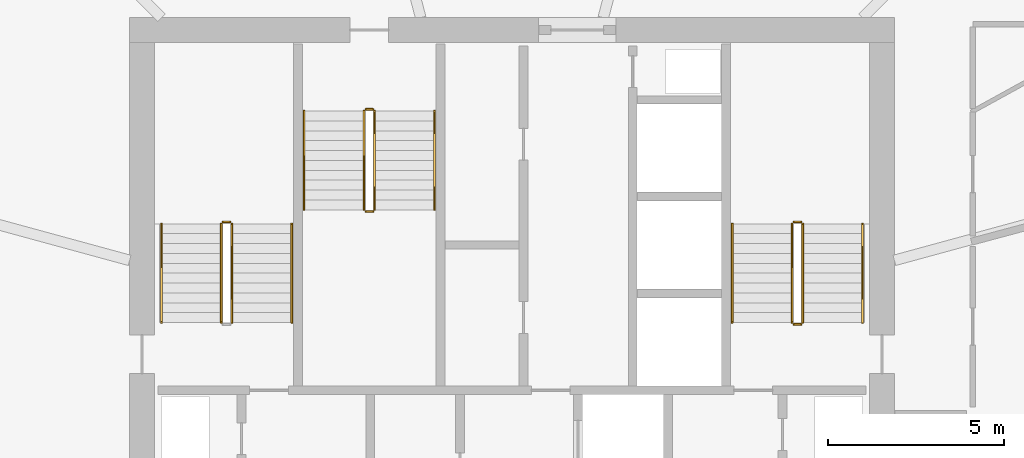
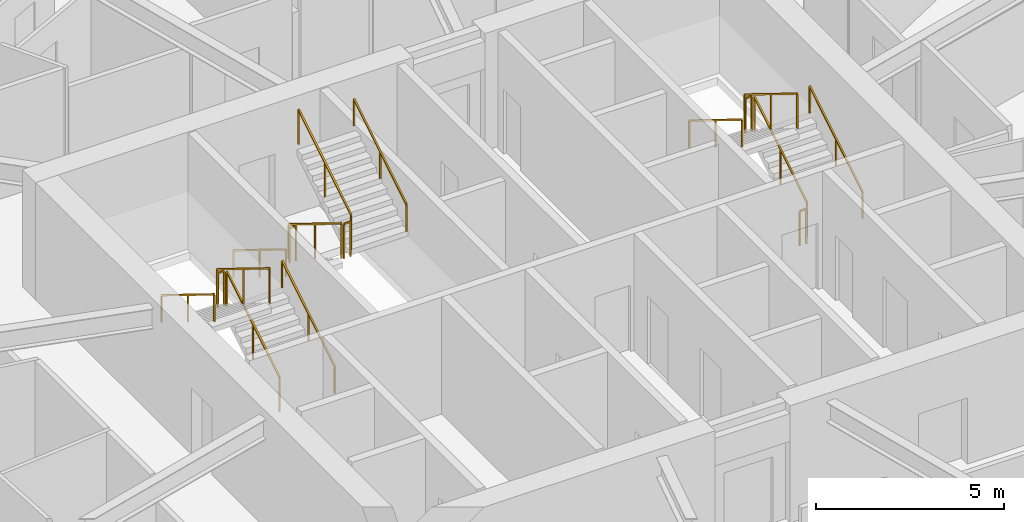
# One storey, part 28 of 29: 17 railings.
"""IFC4 building model written with IfcOpenShell, lengths in metres."""

from ifc_helpers import new_model, si_unit, direction, frame, origin, origin_2d, place, context, subcontext, project, spatial, rectangle, extrude, material, type_object, element, save


model = new_model("IFC4")

# Units and contexts
model_context = context("Model", 3, precision=1e-05, world=origin(), true_north=direction((0.0, 1.0)))
body_context = subcontext(model_context, "Body", "Model", "MODEL_VIEW")
ifc_project = project(units=[si_unit("LENGTHUNIT", "METRE"), si_unit("AREAUNIT", "SQUARE_METRE"), si_unit("VOLUMEUNIT", "CUBIC_METRE"), si_unit("PLANEANGLEUNIT", "RADIAN"), si_unit("MASSUNIT", "GRAM", prefix="KILO")], contexts=[model_context])

# Site, building, storey
site_placement = place(None, origin())
site = spatial("IfcSite", under=ifc_project, at=site_placement, CompositionType="ELEMENT")
building_placement = place(site_placement, origin())
building = spatial("IfcBuilding", under=site, at=building_placement, Name="Zuhravey Tower", CompositionType="ELEMENT")
storey_placement = place(building_placement, frame((0.0, 0.0, 192.199951171875)))
storey = spatial("IfcBuildingStorey", under=building, at=storey_placement, Name="L48", CompositionType="ELEMENT", Elevation=192.199951171875)

# Railings
ifc_material_1 = material(Name="Brushed stainless steel", Category="steel")
railing_type_1 = type_object("IfcRailingType", Name="Stair Wall Handrail 900", PredefinedType="HANDRAIL", material=ifc_material_1)
railing_1_placement = place(storey_placement, frame((29.75, 33.199951171875, 0.1728515625)))
element("IfcRailing", 1, at=railing_1_placement, inside=storey, type_object=railing_type_1, Name="L48 ST1 stair handrail 1", PredefinedType="HANDRAIL", context=body_context, shape_type="SweptSolid", body=[
    extrude(rectangle(XDim=0.048095703125, YDim=0.048095703125, at=origin_2d()), frame((0.0, 0.001708984375, 0.876953125), z_axis=(0.0, 0.851089632645, 0.525020415988), x_axis=(-1.0, 0.0, 0.0)), (0.0, 0.0, 1.0), 3.285888671875),
    extrude(rectangle(XDim=0.0419921875, YDim=0.0419921875, at=origin_2d()), origin(), (0.0, 0.0, 1.0), 0.849853515625),
    extrude(rectangle(XDim=0.0419921875, YDim=0.0419921875, at=origin_2d()), frame((0.0, 1.39990234375, 0.86376953125)), (0.0, 0.0, 1.0), 0.849853515625),
    extrude(rectangle(XDim=0.0419921875, YDim=0.0419921875, at=origin_2d()), frame((0.0, 2.800048828125, 1.727294921875)), (0.0, 0.0, 1.0), 0.849853515625),
])
railing_2_placement = place(storey_placement, frame((26.050048828125, 36.0, 2.07275390625)))
element("IfcRailing", 2, at=railing_2_placement, inside=storey, type_object=railing_type_1, Name="L48 ST1 stair handrail 2", PredefinedType="HANDRAIL", context=body_context, shape_type="SweptSolid", body=[
    extrude(rectangle(XDim=0.048095703125, YDim=0.048095703125, at=origin_2d()), frame((0.0, -0.001708984375, 0.876953125), z_axis=(0.0, -0.851089632645, 0.525020415988), x_axis=(1.0, 0.0, 0.0)), (0.0, 0.0, 1.0), 3.285888671875),
    extrude(rectangle(XDim=0.0419921875, YDim=0.0419921875, at=origin_2d()), origin(), (0.0, 0.0, 1.0), 0.849853515625),
    extrude(rectangle(XDim=0.0419921875, YDim=0.0419921875, at=origin_2d()), frame((0.0, -1.39990234375, 0.86376953125)), (0.0, 0.0, 1.0), 0.849853515625),
    extrude(rectangle(XDim=0.0419921875, YDim=0.0419921875, at=origin_2d()), frame((0.0, -2.800048828125, 1.727294921875)), (0.0, 0.0, 1.0), 0.849853515625),
])
railing_3_placement = place(storey_placement, frame((45.949951171875, 33.199951171875, 0.1728515625)))
element("IfcRailing", 3, at=railing_3_placement, inside=storey, type_object=railing_type_1, Name="L48 ST2 stair handrail 1", PredefinedType="HANDRAIL", context=body_context, shape_type="SweptSolid", body=[
    extrude(rectangle(XDim=0.048095703125, YDim=0.048095703125, at=origin_2d()), frame((0.0, 0.001708984375, 0.876953125), z_axis=(0.0, 0.851089632645, 0.525020415988), x_axis=(-1.0, 0.0, 0.0)), (0.0, 0.0, 1.0), 3.285888671875),
    extrude(rectangle(XDim=0.0419921875, YDim=0.0419921875, at=origin_2d()), origin(), (0.0, 0.0, 1.0), 0.849853515625),
    extrude(rectangle(XDim=0.0419921875, YDim=0.0419921875, at=origin_2d()), frame((0.0, 1.39990234375, 0.86376953125)), (0.0, 0.0, 1.0), 0.849853515625),
    extrude(rectangle(XDim=0.0419921875, YDim=0.0419921875, at=origin_2d()), frame((0.0, 2.800048828125, 1.727294921875)), (0.0, 0.0, 1.0), 0.849853515625),
])
for number, where, name in (
    (4, (42.25, 36.0, 2.07275390625), "L48 ST2 stair handrail 2"),
    (5, (30.10009765625, 39.199951171875, 0.1728515625), "L48 ST3 stair handrail 1"),
):
    element("IfcRailing", number, at=place(storey_placement, frame(where)), inside=storey, type_object=railing_type_1, Name=name, PredefinedType="HANDRAIL", context=body_context, shape_type="SweptSolid", body=[
        extrude(rectangle(XDim=0.048095703125, YDim=0.048095703125, at=origin_2d()), frame((0.0, -0.001708984375, 0.876953125), z_axis=(0.0, -0.851089632645, 0.525020415988), x_axis=(1.0, 0.0, 0.0)), (0.0, 0.0, 1.0), 3.285888671875),
        extrude(rectangle(XDim=0.0419921875, YDim=0.0419921875, at=origin_2d()), origin(), (0.0, 0.0, 1.0), 0.849853515625),
        extrude(rectangle(XDim=0.0419921875, YDim=0.0419921875, at=origin_2d()), frame((0.0, -1.39990234375, 0.86376953125)), (0.0, 0.0, 1.0), 0.849853515625),
        extrude(rectangle(XDim=0.0419921875, YDim=0.0419921875, at=origin_2d()), frame((0.0, -2.800048828125, 1.727294921875)), (0.0, 0.0, 1.0), 0.849853515625),
    ])
railing_4_placement = place(storey_placement, frame((33.800048828125, 36.39990234375, 2.07275390625)))
element("IfcRailing", 6, at=railing_4_placement, inside=storey, type_object=railing_type_1, Name="L48 ST3 stair handrail 2", PredefinedType="HANDRAIL", context=body_context, shape_type="SweptSolid", body=[
    extrude(rectangle(XDim=0.048095703125, YDim=0.048095703125, at=origin_2d()), frame((0.0, 0.001708984375, 0.876953125), z_axis=(0.0, 0.851089632645, 0.525020415988), x_axis=(-1.0, 0.0, 0.0)), (0.0, 0.0, 1.0), 3.285888671875),
    extrude(rectangle(XDim=0.0419921875, YDim=0.0419921875, at=origin_2d()), origin(), (0.0, 0.0, 1.0), 0.849853515625),
    extrude(rectangle(XDim=0.0419921875, YDim=0.0419921875, at=origin_2d()), frame((0.0, 1.39990234375, 0.86376953125)), (0.0, 0.0, 1.0), 0.849853515625),
    extrude(rectangle(XDim=0.0419921875, YDim=0.0419921875, at=origin_2d()), frame((0.0, 2.800048828125, 1.727294921875)), (0.0, 0.0, 1.0), 0.849853515625),
])
ifc_material_2 = material(Name="Painted tubular steel", Category="steel")
railing_type_2 = type_object("IfcRailingType", Name="Stair Well Guardrail 1150", PredefinedType="GUARDRAIL", material=ifc_material_2)
railing_5_placement = place(storey_placement, frame((28.050048828125, 33.199951171875, 0.1728515625)))
element("IfcRailing", 7, at=railing_5_placement, inside=storey, type_object=railing_type_2, Name="L48 ST1 stair guard 1", PredefinedType="GUARDRAIL", context=body_context, shape_type="SweptSolid", body=[
    extrude(rectangle(XDim=0.048095703125, YDim=0.048095703125, at=origin_2d()), frame((0.0, 0.001708984375, 1.126953125), z_axis=(0.0, 0.851089632645, 0.525020415988), x_axis=(-1.0, 0.0, 0.0)), (0.0, 0.0, 1.0), 3.285888671875),
    extrude(rectangle(XDim=0.0419921875, YDim=0.0419921875, at=origin_2d()), origin(), (0.0, 0.0, 1.0), 1.099853515625),
    extrude(rectangle(XDim=0.0419921875, YDim=0.0419921875, at=origin_2d()), frame((0.0, 1.39990234375, 0.86376953125)), (0.0, 0.0, 1.0), 1.099853515625),
    extrude(rectangle(XDim=0.0419921875, YDim=0.0419921875, at=origin_2d()), frame((0.0, 2.800048828125, 1.727294921875)), (0.0, 0.0, 1.0), 1.099853515625),
])
railing_6_placement = place(storey_placement, frame((28.0, 36.050048828125, 1.900146484375)))
element("IfcRailing", 8, at=railing_6_placement, inside=storey, type_object=railing_type_2, Name="L48 ST1 stair guard 2", PredefinedType="GUARDRAIL", context=body_context, shape_type="SweptSolid", body=[
    extrude(rectangle(XDim=0.048095703125, YDim=0.048095703125, at=origin_2d()), frame((-0.001953125, 0.0, 1.1259765625), z_axis=(-1.0, 0.0, 0.0), x_axis=(0.0, -1.0, 0.0)), (0.0, 0.0, 1.0), 0.196044921875),
    extrude(rectangle(XDim=0.0419921875, YDim=0.0419921875, at=origin_2d()), origin(), (0.0, 0.0, 1.0), 1.099853515625),
    extrude(rectangle(XDim=0.0419921875, YDim=0.0419921875, at=origin_2d()), frame((-0.199951171875, 0.0, 0.0)), (0.0, 0.0, 1.0), 1.099853515625),
])
railing_7_placement = place(storey_placement, frame((27.75, 36.0, 2.07275390625)))
element("IfcRailing", 9, at=railing_7_placement, inside=storey, type_object=railing_type_2, Name="L48 ST1 stair guard 3", PredefinedType="GUARDRAIL", context=body_context, shape_type="SweptSolid", body=[
    extrude(rectangle(XDim=0.048095703125, YDim=0.048095703125, at=origin_2d()), frame((0.0, -0.001708984375, 1.126953125), z_axis=(0.0, -0.851089632645, 0.525020415988), x_axis=(1.0, 0.0, 0.0)), (0.0, 0.0, 1.0), 3.285888671875),
    extrude(rectangle(XDim=0.0419921875, YDim=0.0419921875, at=origin_2d()), origin(), (0.0, 0.0, 1.0), 1.099853515625),
    extrude(rectangle(XDim=0.0419921875, YDim=0.0419921875, at=origin_2d()), frame((0.0, -1.39990234375, 0.86376953125)), (0.0, 0.0, 1.0), 1.099853515625),
    extrude(rectangle(XDim=0.0419921875, YDim=0.0419921875, at=origin_2d()), frame((0.0, -2.800048828125, 1.727294921875)), (0.0, 0.0, 1.0), 1.099853515625),
])
railing_8_placement = place(storey_placement, frame((44.25, 33.199951171875, 0.1728515625)))
element("IfcRailing", 10, at=railing_8_placement, inside=storey, type_object=railing_type_2, Name="L48 ST2 stair guard 1", PredefinedType="GUARDRAIL", context=body_context, shape_type="SweptSolid", body=[
    extrude(rectangle(XDim=0.048095703125, YDim=0.048095703125, at=origin_2d()), frame((0.0, 0.001708984375, 1.126953125), z_axis=(0.0, 0.851089632645, 0.525020415988), x_axis=(-1.0, 0.0, 0.0)), (0.0, 0.0, 1.0), 3.285888671875),
    extrude(rectangle(XDim=0.0419921875, YDim=0.0419921875, at=origin_2d()), origin(), (0.0, 0.0, 1.0), 1.099853515625),
    extrude(rectangle(XDim=0.0419921875, YDim=0.0419921875, at=origin_2d()), frame((0.0, 1.39990234375, 0.86376953125)), (0.0, 0.0, 1.0), 1.099853515625),
    extrude(rectangle(XDim=0.0419921875, YDim=0.0419921875, at=origin_2d()), frame((0.0, 2.800048828125, 1.727294921875)), (0.0, 0.0, 1.0), 1.099853515625),
])
railing_9_placement = place(storey_placement, frame((44.199951171875, 36.050048828125, 1.900146484375)))
element("IfcRailing", 11, at=railing_9_placement, inside=storey, type_object=railing_type_2, Name="L48 ST2 stair guard 2", PredefinedType="GUARDRAIL", context=body_context, shape_type="SweptSolid", body=[
    extrude(rectangle(XDim=0.048095703125, YDim=0.048095703125, at=origin_2d()), frame((-0.001953125, 0.0, 1.1259765625), z_axis=(-1.0, 0.0, 0.0), x_axis=(0.0, -1.0, 0.0)), (0.0, 0.0, 1.0), 0.196044921875),
    extrude(rectangle(XDim=0.0419921875, YDim=0.0419921875, at=origin_2d()), origin(), (0.0, 0.0, 1.0), 1.099853515625),
    extrude(rectangle(XDim=0.0419921875, YDim=0.0419921875, at=origin_2d()), frame((-0.199951171875, 0.0, 0.0)), (0.0, 0.0, 1.0), 1.099853515625),
])
railing_10_placement = place(storey_placement, frame((43.949951171875, 36.0, 2.07275390625)))
element("IfcRailing", 12, at=railing_10_placement, inside=storey, type_object=railing_type_2, Name="L48 ST2 stair guard 3", PredefinedType="GUARDRAIL", context=body_context, shape_type="SweptSolid", body=[
    extrude(rectangle(XDim=0.048095703125, YDim=0.048095703125, at=origin_2d()), frame((0.0, -0.001708984375, 1.126953125), z_axis=(0.0, -0.851089632645, 0.525020415988), x_axis=(1.0, 0.0, 0.0)), (0.0, 0.0, 1.0), 3.285888671875),
    extrude(rectangle(XDim=0.0419921875, YDim=0.0419921875, at=origin_2d()), origin(), (0.0, 0.0, 1.0), 1.099853515625),
    extrude(rectangle(XDim=0.0419921875, YDim=0.0419921875, at=origin_2d()), frame((0.0, -1.39990234375, 0.86376953125)), (0.0, 0.0, 1.0), 1.099853515625),
    extrude(rectangle(XDim=0.0419921875, YDim=0.0419921875, at=origin_2d()), frame((0.0, -2.800048828125, 1.727294921875)), (0.0, 0.0, 1.0), 1.099853515625),
])
railing_11_placement = place(storey_placement, frame((44.199951171875, 33.14990234375, 0.0)))
element("IfcRailing", 13, at=railing_11_placement, inside=storey, type_object=railing_type_2, Name="L48 ST2 stair guard 4", PredefinedType="GUARDRAIL", context=body_context, shape_type="SweptSolid", body=[
    extrude(rectangle(XDim=0.048095703125, YDim=0.048095703125, at=origin_2d()), frame((-0.001953125, 0.0, 1.1259765625), z_axis=(-1.0, 0.0, 0.0), x_axis=(0.0, -1.0, 0.0)), (0.0, 0.0, 1.0), 0.196044921875),
    extrude(rectangle(XDim=0.0419921875, YDim=0.0419921875, at=origin_2d()), origin(), (0.0, 0.0, 1.0), 1.099853515625),
    extrude(rectangle(XDim=0.0419921875, YDim=0.0419921875, at=origin_2d()), frame((-0.199951171875, 0.0, 0.0)), (0.0, 0.0, 1.0), 1.099853515625),
])
railing_12_placement = place(storey_placement, frame((31.800048828125, 39.199951171875, 0.1728515625)))
element("IfcRailing", 14, at=railing_12_placement, inside=storey, type_object=railing_type_2, Name="L48 ST3 stair guard 1", PredefinedType="GUARDRAIL", context=body_context, shape_type="SweptSolid", body=[
    extrude(rectangle(XDim=0.048095703125, YDim=0.048095703125, at=origin_2d()), frame((0.0, -0.001708984375, 1.126953125), z_axis=(0.0, -0.851089632645, 0.525020415988), x_axis=(1.0, 0.0, 0.0)), (0.0, 0.0, 1.0), 3.285888671875),
    extrude(rectangle(XDim=0.0419921875, YDim=0.0419921875, at=origin_2d()), origin(), (0.0, 0.0, 1.0), 1.099853515625),
    extrude(rectangle(XDim=0.0419921875, YDim=0.0419921875, at=origin_2d()), frame((0.0, -1.39990234375, 0.86376953125)), (0.0, 0.0, 1.0), 1.099853515625),
    extrude(rectangle(XDim=0.0419921875, YDim=0.0419921875, at=origin_2d()), frame((0.0, -2.800048828125, 1.727294921875)), (0.0, 0.0, 1.0), 1.099853515625),
])
railing_13_placement = place(storey_placement, frame((31.85009765625, 36.35009765625, 1.900146484375)))
element("IfcRailing", 15, at=railing_13_placement, inside=storey, type_object=railing_type_2, Name="L48 ST3 stair guard 2", PredefinedType="GUARDRAIL", context=body_context, shape_type="SweptSolid", body=[
    extrude(rectangle(XDim=0.048095703125, YDim=0.048095703125, at=origin_2d()), frame((0.001953125, 0.0, 1.1259765625), z_axis=(1.0, 0.0, 0.0), x_axis=(0.0, 1.0, 0.0)), (0.0, 0.0, 1.0), 0.196044921875),
    extrude(rectangle(XDim=0.0419921875, YDim=0.0419921875, at=origin_2d()), origin(), (0.0, 0.0, 1.0), 1.099853515625),
    extrude(rectangle(XDim=0.0419921875, YDim=0.0419921875, at=origin_2d()), frame((0.199951171875, 0.0, 0.0)), (0.0, 0.0, 1.0), 1.099853515625),
])
railing_14_placement = place(storey_placement, frame((32.10009765625, 36.39990234375, 2.07275390625)))
element("IfcRailing", 16, at=railing_14_placement, inside=storey, type_object=railing_type_2, Name="L48 ST3 stair guard 3", PredefinedType="GUARDRAIL", context=body_context, shape_type="SweptSolid", body=[
    extrude(rectangle(XDim=0.048095703125, YDim=0.048095703125, at=origin_2d()), frame((0.0, 0.001708984375, 1.126953125), z_axis=(0.0, 0.851089632645, 0.525020415988), x_axis=(-1.0, 0.0, 0.0)), (0.0, 0.0, 1.0), 3.285888671875),
    extrude(rectangle(XDim=0.0419921875, YDim=0.0419921875, at=origin_2d()), origin(), (0.0, 0.0, 1.0), 1.099853515625),
    extrude(rectangle(XDim=0.0419921875, YDim=0.0419921875, at=origin_2d()), frame((0.0, 1.39990234375, 0.86376953125)), (0.0, 0.0, 1.0), 1.099853515625),
    extrude(rectangle(XDim=0.0419921875, YDim=0.0419921875, at=origin_2d()), frame((0.0, 2.800048828125, 1.727294921875)), (0.0, 0.0, 1.0), 1.099853515625),
])
railing_15_placement = place(storey_placement, frame((31.85009765625, 39.25, 0.0)))
element("IfcRailing", 17, at=railing_15_placement, inside=storey, type_object=railing_type_2, Name="L48 ST3 stair guard 4", PredefinedType="GUARDRAIL", context=body_context, shape_type="SweptSolid", body=[
    extrude(rectangle(XDim=0.048095703125, YDim=0.048095703125, at=origin_2d()), frame((0.001953125, 0.0, 1.1259765625), z_axis=(1.0, 0.0, 0.0), x_axis=(0.0, 1.0, 0.0)), (0.0, 0.0, 1.0), 0.196044921875),
    extrude(rectangle(XDim=0.0419921875, YDim=0.0419921875, at=origin_2d()), origin(), (0.0, 0.0, 1.0), 1.099853515625),
    extrude(rectangle(XDim=0.0419921875, YDim=0.0419921875, at=origin_2d()), frame((0.199951171875, 0.0, 0.0)), (0.0, 0.0, 1.0), 1.099853515625),
])

save(model, "model.ifc")
